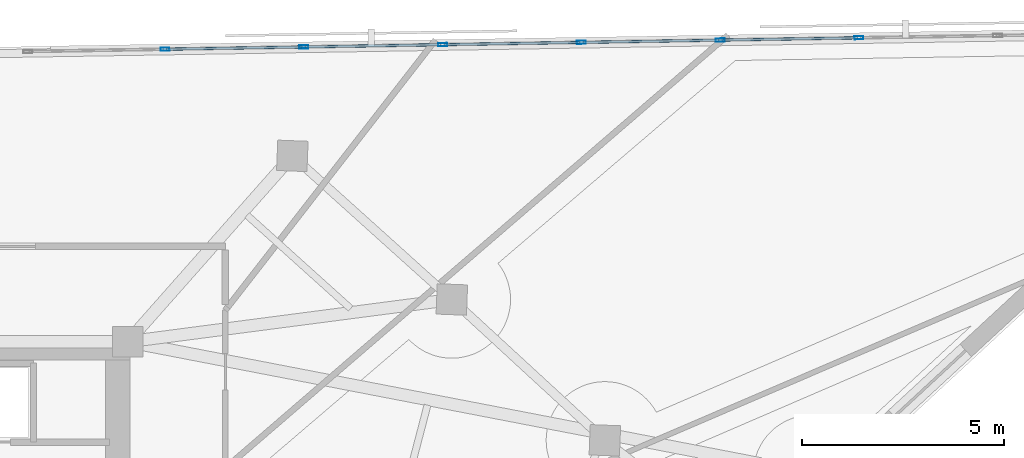
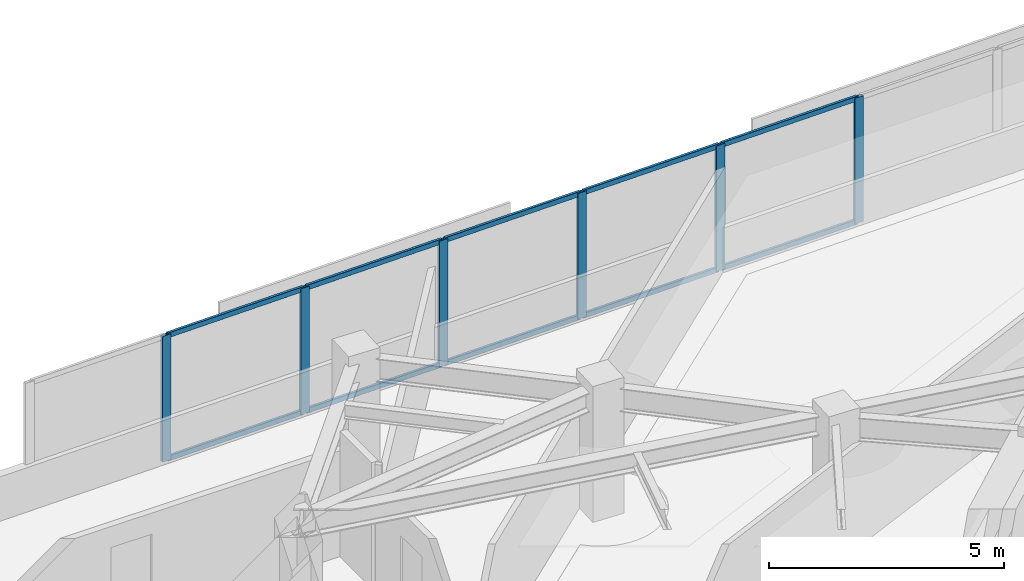
# One storey, part 5 of 13: 16 members, 1 element without a shape of its own.
"""IFC4 building model written with IfcOpenShell, lengths in metres."""

import ifcopenshell
import ifcopenshell.guid

model = None  # the IFC model being written
_history = None  # IfcOwnerHistory: only IFC2X3 demands one
_inside = {}  # id of a spatial element -> (the spatial element, [elements in it])
_under = {}  # id of a project, library or spatial element -> (it, [spatial elements below it])
_declared = {}  # id of a project -> (the project, [libraries it declares])
_typed = {}  # id of a type object -> (the type object, [elements of that type])
_made_of = {}  # id of a material, layer set ... -> (it, [elements and type objects made of it])


def new_model(schema):
    """Start an empty IFC model of exactly this schema.

    Asked for "IFC4X3", IfcOpenShell would pick the latest addendum, in which some entities
    have other attributes; the version numbers below select the first issue.
    IFC2X3 requires an IfcOwnerHistory on every rooted entity: one is made here for all.
    """
    global model, _history
    if schema == "IFC4X3":
        model = ifcopenshell.file(schema_version=(4, 3, 0, 0))
    else:
        model = ifcopenshell.file(schema=schema)
    _inside.clear()
    _under.clear()
    _declared.clear()
    _typed.clear()
    _made_of.clear()
    _history = None
    if model.schema == "IFC2X3":
        org = make("IfcOrganization", Name="unknown")
        user = make(
            "IfcPersonAndOrganization",
            ThePerson=make("IfcPerson", FamilyName="unknown"),
            TheOrganization=org,
        )
        app = make(
            "IfcApplication",
            ApplicationDeveloper=org,
            Version="unknown",
            ApplicationFullName="unknown",
            ApplicationIdentifier="unknown",
        )
        _history = make(
            "IfcOwnerHistory",
            OwningUser=user,
            OwningApplication=app,
            ChangeAction="ADDED",
            CreationDate=0,
        )
    return model


def make(cls, **values):
    """One entity of the class cls with the attributes given. An attribute that is None is left unset."""
    return model.create_entity(
        cls, **{name: value for name, value in values.items() if value is not None}
    )


def rooted(cls, **values):
    """An entity with a GlobalId (a new one), such as an element, a storey or a relation."""
    return make(cls, GlobalId=ifcopenshell.guid.new(), OwnerHistory=_history, **values)


def si_unit(unit_type, name, prefix=None):
    """IfcSIUnit, for example si_unit("LENGTHUNIT", "METRE", prefix="MILLI")."""
    return make("IfcSIUnit", UnitType=unit_type, Prefix=prefix, Name=name)


def assignment(units):
    """IfcUnitAssignment: the units of a project."""
    return None if units is None else make("IfcUnitAssignment", Units=units)


def point(xyz):
    """IfcCartesianPoint."""
    return None if xyz is None else make("IfcCartesianPoint", Coordinates=xyz)


def direction(xyz):
    """IfcDirection."""
    return None if xyz is None else make("IfcDirection", DirectionRatios=xyz)


def frame(location, z_axis=None, x_axis=None):
    """IfcAxis2Placement3D, a coordinate frame: its origin and axes. An axis left out is left unset."""
    return make(
        "IfcAxis2Placement3D",
        Location=point(location),
        Axis=direction(z_axis),
        RefDirection=direction(x_axis),
    )


def frame_2d(location, x_axis=None):
    """IfcAxis2Placement2D, a coordinate frame in the plane: its origin and x axis."""
    return make(
        "IfcAxis2Placement2D", Location=point(location), RefDirection=direction(x_axis)
    )


def origin():
    """The frame at (0, 0, 0) with its axes left unset."""
    return frame((0.0, 0.0, 0.0))


def origin_2d():
    """The frame at (0, 0) in the plane with its x axis left unset."""
    return frame_2d((0.0, 0.0))


def place(relative_to, where):
    """IfcLocalPlacement: puts the frame where relative to a parent placement (None: the world)."""
    return make(
        "IfcLocalPlacement", PlacementRelTo=relative_to, RelativePlacement=where
    )


def context(
    kind, dimensions, precision=None, world=None, true_north=None, identifier=None
):
    """IfcGeometricRepresentationContext, for example the 3D "Model" context."""
    return make(
        "IfcGeometricRepresentationContext",
        ContextIdentifier=identifier,
        ContextType=kind,
        CoordinateSpaceDimension=dimensions,
        Precision=precision,
        WorldCoordinateSystem=world,
        TrueNorth=true_north,
    )


def subcontext(parent, identifier, kind, view, scale=None):
    """IfcGeometricRepresentationSubContext, for example "Body" below "Model"."""
    return make(
        "IfcGeometricRepresentationSubContext",
        ContextIdentifier=identifier,
        ContextType=kind,
        ParentContext=parent,
        TargetScale=scale,
        TargetView=view,
    )


def project(units=None, contexts=None):
    """IfcProject with its units and contexts."""
    return rooted(
        "IfcProject",
        Name="project",
        RepresentationContexts=contexts,
        UnitsInContext=assignment(units),
    )


def spatial(cls, under=None, at=None, **own):
    """A site, building, storey or space (cls), placed at a placement, below another one or the project."""
    s = rooted(cls, ObjectPlacement=at, **own)
    if under is not None:
        _under.setdefault(under.id(), (under, []))[1].append(s)
    return s


def profile(cls, at=None, kind="AREA", **sizes):
    """A parametric profile (cls). Its sizes go by their IFC names, for example OverallWidth=200.0."""
    return make(cls, ProfileType=kind, Position=at, **sizes)


def hollow_rectangle(**sizes):
    """IfcRectangleHollowProfileDef."""
    return profile("IfcRectangleHollowProfileDef", **sizes)


def extrude(swept, where, along, depth):
    """IfcExtrudedAreaSolid: the profile swept, set in the frame where, extruded along a direction by depth."""
    return make(
        "IfcExtrudedAreaSolid",
        SweptArea=swept,
        Position=where,
        ExtrudedDirection=direction(along),
        Depth=depth,
    )


def shape(context_of_items, identifier, shape_type, items):
    """IfcShapeRepresentation: the items that make up one representation, for example the "Body"."""
    return make(
        "IfcShapeRepresentation",
        ContextOfItems=context_of_items,
        RepresentationIdentifier=identifier,
        RepresentationType=shape_type,
        Items=items,
    )


def material(Name=None, Category=None):
    """IfcMaterial."""
    return make("IfcMaterial", Name=Name, Category=Category)


def material_profile(
    of_material, cross_section, Name=None, Category=None, Priority=None
):
    """IfcMaterialProfile: a cross section and its material."""
    return make(
        "IfcMaterialProfile",
        Name=Name,
        Material=of_material,
        Profile=cross_section,
        Priority=Priority,
        Category=Category,
    )


def profile_set(profiles, Name=None, composite=None):
    """IfcMaterialProfileSet."""
    return make(
        "IfcMaterialProfileSet",
        Name=Name,
        MaterialProfiles=profiles,
        CompositeProfile=composite,
    )


def made_of(thing, what):
    """Note that an element or type object is made of a material, layer set ...; save() writes the relation."""
    if what is not None:
        _made_of.setdefault(what.id(), (what, []))[1].append(thing)
    return thing


def type_object(cls, material=None, **own):
    """A type object (cls), such as IfcWallType, which elements share."""
    return made_of(rooted(cls, **own), material)


def element(
    cls,
    number,
    at=None,
    inside=None,
    cuts=None,
    type_object=None,
    material=None,
    context=None,
    identifier="Body",
    shape_type=None,
    held_by="IfcProductDefinitionShape",
    body=None,
    shapes=None,
    **own,
):
    """One element of the class cls, such as IfcWall. Its Tag is "e" and its number.

    at: its placement. inside: the storey or other place that contains it. cuts: it is an
    opening in that element (IfcRelVoidsElement). A single representation is given by context,
    identifier, shape_type and body (its items); several are given by shapes. held_by: the class
    of the entity that holds the representations. save() writes the other relations.
    """
    e = rooted(cls, Tag="e%d" % number, ObjectPlacement=at, **own)
    if body is not None:
        shapes = [shape(context, identifier, shape_type, body)]
    if shapes is not None:
        e.Representation = make(held_by, Representations=shapes)
    if inside is not None:
        _inside.setdefault(inside.id(), (inside, []))[1].append(e)
    if cuts is not None:
        rooted(
            "IfcRelVoidsElement", RelatingBuildingElement=cuts, RelatedOpeningElement=e
        )
    if type_object is not None:
        _typed.setdefault(type_object.id(), (type_object, []))[1].append(e)
    return made_of(e, material)


def aggregate(whole, parts):
    """IfcRelAggregates: a whole, such as a stair, and the parts it consists of."""
    return rooted("IfcRelAggregates", RelatingObject=whole, RelatedObjects=parts)


def save(model, path):
    """Write the relations noted so far, then the file.

    IfcRelAggregates (storeys below a building ...), IfcRelContainedInSpatialStructure (elements
    in a storey), IfcRelDefinesByType, IfcRelAssociatesMaterial and IfcRelDeclares: one each for
    every whole, place, type object, material and project.
    """
    for whole, parts in _under.values():
        aggregate(whole, parts)
    for where, things in _inside.values():
        rooted(
            "IfcRelContainedInSpatialStructure",
            RelatedElements=things,
            RelatingStructure=where,
        )
    for kind, things in _typed.values():
        rooted("IfcRelDefinesByType", RelatedObjects=things, RelatingType=kind)
    for what, things in _made_of.values():
        rooted("IfcRelAssociatesMaterial", RelatedObjects=things, RelatingMaterial=what)
    for by, libraries in _declared.values():
        rooted("IfcRelDeclares", RelatingContext=by, RelatedDefinitions=libraries)
    model.write(path)


model = new_model("IFC4")

# Units and contexts
model_context = context("Model", 3, precision=1e-05, world=origin(), true_north=direction((0.0, 1.0)))
body_context = subcontext(model_context, "Body", "Model", "MODEL_VIEW")
ifc_project = project(units=[si_unit("LENGTHUNIT", "METRE"), si_unit("AREAUNIT", "SQUARE_METRE"), si_unit("VOLUMEUNIT", "CUBIC_METRE"), si_unit("PLANEANGLEUNIT", "RADIAN"), si_unit("MASSUNIT", "GRAM", prefix="KILO")], contexts=[model_context])

# Site, building, storey
site_placement = place(None, origin())
site = spatial("IfcSite", under=ifc_project, at=site_placement, CompositionType="ELEMENT")
building_placement = place(site_placement, origin())
building = spatial("IfcBuilding", under=site, at=building_placement, Name="Narakoshi Arena Tower", CompositionType="ELEMENT")
storey_placement = place(building_placement, frame((0.0, 0.0, 264.260009765625)))
storey = spatial("IfcBuildingStorey", under=building, at=storey_placement, Name="L72", CompositionType="ELEMENT", Elevation=264.260009765625)

# Curtain wall, members
ifc_material = material(Name="Anodised bronze aluminium 6063-T6", Category="aluminium")
curtain_wall_type = type_object("IfcCurtainWallType", Name="CW-HYP-HIGH", PredefinedType="NOTDEFINED", material=ifc_material)
curtain_wall_placement = place(storey_placement, origin())
curtain_wall = element("IfcCurtainWall", 1, at=curtain_wall_placement, inside=storey, type_object=curtain_wall_type, Name="L72 Folded Hypotenuse Curtain Wall 1-1", PredefinedType="NOTDEFINED")
ifc_material_profile_1 = material_profile(ifc_material, hollow_rectangle(XDim=0.080078125, YDim=0.219970703125, WallThickness=0.0048828125, OuterFilletRadius=0.006103515625, at=origin_2d()), Name="MUL220x80x5")
ifc_profile_set_1 = profile_set([ifc_material_profile_1], Name="Anodised bronze aluminium 6063-T6")
member_type_1 = type_object("IfcMemberType", Name="MEM-MUL-220", PredefinedType="MULLION", material=ifc_profile_set_1)
member_1_placement = place(storey_placement, frame((103.604248046875, 64.005615234375, 0.0), z_axis=(0.0, 0.0, 1.0), x_axis=(0.016442997569, -0.999864804777, 0.0)))
member_1 = element("IfcMember", 2, at=member_1_placement, type_object=member_type_1, Name="CW-03 mullion 3", PredefinedType="MULLION", context=body_context, shape_type="SweptSolid", body=[
    extrude(hollow_rectangle(XDim=0.080078125, YDim=0.219970703125, WallThickness=0.0048828125, OuterFilletRadius=0.006103515625, at=origin_2d()), origin(), (0.0, 0.0, 1.0), 3.260009765625),
])
member_2_placement = place(storey_placement, frame((100.177001953125, 63.94921875, 0.0), z_axis=(0.0, 0.0, 1.0), x_axis=(0.016442997569, -0.999864804777, 0.0)))
member_2 = element("IfcMember", 3, at=member_2_placement, type_object=member_type_1, Name="CW-03 mullion 4", PredefinedType="MULLION", context=body_context, shape_type="SweptSolid", body=[
    extrude(hollow_rectangle(XDim=0.080078125, YDim=0.219970703125, WallThickness=0.0048828125, OuterFilletRadius=0.006103515625, at=origin_2d()), origin(), (0.0, 0.0, 1.0), 3.260009765625),
])
member_3_placement = place(storey_placement, frame((96.749755859375, 63.89306640625, 0.0), z_axis=(0.0, 0.0, 1.0), x_axis=(0.016442997569, -0.999864804777, 0.0)))
member_3 = element("IfcMember", 4, at=member_3_placement, type_object=member_type_1, Name="CW-03 mullion 5", PredefinedType="MULLION", context=body_context, shape_type="SweptSolid", body=[
    extrude(hollow_rectangle(XDim=0.080078125, YDim=0.219970703125, WallThickness=0.0048828125, OuterFilletRadius=0.006103515625, at=origin_2d()), origin(), (0.0, 0.0, 1.0), 3.260009765625),
])
member_4_placement = place(storey_placement, frame((93.322509765625, 63.836669921875, 0.0), z_axis=(0.0, 0.0, 1.0), x_axis=(0.016442997569, -0.999864804777, 0.0)))
member_4 = element("IfcMember", 5, at=member_4_placement, type_object=member_type_1, Name="CW-03 mullion 6", PredefinedType="MULLION", context=body_context, shape_type="SweptSolid", body=[
    extrude(hollow_rectangle(XDim=0.080078125, YDim=0.219970703125, WallThickness=0.0048828125, OuterFilletRadius=0.006103515625, at=origin_2d()), origin(), (0.0, 0.0, 1.0), 3.260009765625),
])
member_5_placement = place(storey_placement, frame((89.895263671875, 63.7802734375, 0.0), z_axis=(0.0, 0.0, 1.0), x_axis=(0.016442997569, -0.999864804777, 0.0)))
member_5 = element("IfcMember", 6, at=member_5_placement, type_object=member_type_1, Name="CW-03 mullion 7", PredefinedType="MULLION", context=body_context, shape_type="SweptSolid", body=[
    extrude(hollow_rectangle(XDim=0.080078125, YDim=0.219970703125, WallThickness=0.0048828125, OuterFilletRadius=0.006103515625, at=origin_2d()), origin(), (0.0, 0.0, 1.0), 3.260009765625),
])
member_6_placement = place(storey_placement, frame((86.4677734375, 63.723876953125, 0.0), z_axis=(0.0, 0.0, 1.0), x_axis=(0.016442997569, -0.999864804777, 0.0)))
member_6 = element("IfcMember", 7, at=member_6_placement, type_object=member_type_1, Name="CW-03 mullion 8", PredefinedType="MULLION", context=body_context, shape_type="SweptSolid", body=[
    extrude(hollow_rectangle(XDim=0.080078125, YDim=0.219970703125, WallThickness=0.0048828125, OuterFilletRadius=0.006103515625, at=origin_2d()), origin(), (0.0, 0.0, 1.0), 3.260009765625),
])
ifc_material_profile_2 = material_profile(ifc_material, hollow_rectangle(XDim=0.06494140625, YDim=0.1298828125, WallThickness=0.00390625, OuterFilletRadius=0.0048828125, at=origin_2d()), Name="TRN130x65x4")
ifc_profile_set_2 = profile_set([ifc_material_profile_2], Name="Anodised bronze aluminium 6063-T6")
member_type_2 = type_object("IfcMemberType", Name="MEM-TRN-130", PredefinedType="USERDEFINED", material=ifc_profile_set_2)
member_7_placement = place(storey_placement, frame((103.564208984375, 64.005126953125, 0.032470703125), z_axis=(-0.999864161313, -0.016482078808, 0.0), x_axis=(0.016482078808, -0.999864161313, 0.0)))
member_7 = element("IfcMember", 8, at=member_7_placement, type_object=member_type_2, Name="CW-03 transom 3.1", ObjectType="TRANSOM", PredefinedType="USERDEFINED", context=body_context, shape_type="SweptSolid", body=[
    extrude(hollow_rectangle(XDim=0.06494140625, YDim=0.1298828125, WallThickness=0.00390625, OuterFilletRadius=0.0048828125, at=origin_2d()), origin(), (0.0, 0.0, 1.0), 3.34765625),
])
member_8_placement = place(storey_placement, frame((103.564208984375, 64.005126953125, 3.2275390625), z_axis=(-0.999864161313, -0.016482078808, 0.0), x_axis=(0.016482078808, -0.999864161313, 0.0)))
member_8 = element("IfcMember", 9, at=member_8_placement, type_object=member_type_2, Name="CW-03 transom 3.2", ObjectType="TRANSOM", PredefinedType="USERDEFINED", context=body_context, shape_type="SweptSolid", body=[
    extrude(hollow_rectangle(XDim=0.06494140625, YDim=0.1298828125, WallThickness=0.00390625, OuterFilletRadius=0.0048828125, at=origin_2d()), origin(), (0.0, 0.0, 1.0), 3.34765625),
])
member_9_placement = place(storey_placement, frame((100.136962890625, 63.94873046875, 0.032470703125), z_axis=(-0.999864161313, -0.016482078808, 0.0), x_axis=(0.016482078808, -0.999864161313, 0.0)))
member_9 = element("IfcMember", 10, at=member_9_placement, type_object=member_type_2, Name="CW-03 transom 4.1", ObjectType="TRANSOM", PredefinedType="USERDEFINED", context=body_context, shape_type="SweptSolid", body=[
    extrude(hollow_rectangle(XDim=0.06494140625, YDim=0.1298828125, WallThickness=0.00390625, OuterFilletRadius=0.0048828125, at=origin_2d()), origin(), (0.0, 0.0, 1.0), 3.34765625),
])
member_10_placement = place(storey_placement, frame((100.136962890625, 63.94873046875, 3.2275390625), z_axis=(-0.999864161313, -0.016482078808, 0.0), x_axis=(0.016482078808, -0.999864161313, 0.0)))
member_10 = element("IfcMember", 11, at=member_10_placement, type_object=member_type_2, Name="CW-03 transom 4.2", ObjectType="TRANSOM", PredefinedType="USERDEFINED", context=body_context, shape_type="SweptSolid", body=[
    extrude(hollow_rectangle(XDim=0.06494140625, YDim=0.1298828125, WallThickness=0.00390625, OuterFilletRadius=0.0048828125, at=origin_2d()), origin(), (0.0, 0.0, 1.0), 3.34765625),
])
member_11_placement = place(storey_placement, frame((96.709716796875, 63.892333984375, 0.032470703125), z_axis=(-0.999864161313, -0.016482078808, 0.0), x_axis=(0.016482078808, -0.999864161313, 0.0)))
member_11 = element("IfcMember", 12, at=member_11_placement, type_object=member_type_2, Name="CW-03 transom 5.1", ObjectType="TRANSOM", PredefinedType="USERDEFINED", context=body_context, shape_type="SweptSolid", body=[
    extrude(hollow_rectangle(XDim=0.06494140625, YDim=0.1298828125, WallThickness=0.00390625, OuterFilletRadius=0.0048828125, at=origin_2d()), origin(), (0.0, 0.0, 1.0), 3.34765625),
])
member_12_placement = place(storey_placement, frame((96.709716796875, 63.892333984375, 3.2275390625), z_axis=(-0.999864161313, -0.016482078808, 0.0), x_axis=(0.016482078808, -0.999864161313, 0.0)))
member_12 = element("IfcMember", 13, at=member_12_placement, type_object=member_type_2, Name="CW-03 transom 5.2", ObjectType="TRANSOM", PredefinedType="USERDEFINED", context=body_context, shape_type="SweptSolid", body=[
    extrude(hollow_rectangle(XDim=0.06494140625, YDim=0.1298828125, WallThickness=0.00390625, OuterFilletRadius=0.0048828125, at=origin_2d()), origin(), (0.0, 0.0, 1.0), 3.34765625),
])
member_13_placement = place(storey_placement, frame((93.282470703125, 63.8359375, 0.032470703125), z_axis=(-0.999864181123, -0.016480877028, 0.0), x_axis=(0.016480877028, -0.999864181123, 0.0)))
member_13 = element("IfcMember", 14, at=member_13_placement, type_object=member_type_2, Name="CW-03 transom 6.1", ObjectType="TRANSOM", PredefinedType="USERDEFINED", context=body_context, shape_type="SweptSolid", body=[
    extrude(hollow_rectangle(XDim=0.06494140625, YDim=0.1298828125, WallThickness=0.00390625, OuterFilletRadius=0.0048828125, at=origin_2d()), origin(), (0.0, 0.0, 1.0), 3.347900390625),
])
member_14_placement = place(storey_placement, frame((93.282470703125, 63.8359375, 3.2275390625), z_axis=(-0.999864181123, -0.016480877028, 0.0), x_axis=(0.016480877028, -0.999864181123, 0.0)))
member_14 = element("IfcMember", 15, at=member_14_placement, type_object=member_type_2, Name="CW-03 transom 6.2", ObjectType="TRANSOM", PredefinedType="USERDEFINED", context=body_context, shape_type="SweptSolid", body=[
    extrude(hollow_rectangle(XDim=0.06494140625, YDim=0.1298828125, WallThickness=0.00390625, OuterFilletRadius=0.0048828125, at=origin_2d()), origin(), (0.0, 0.0, 1.0), 3.347900390625),
])
member_15_placement = place(storey_placement, frame((89.855224609375, 63.779541015625, 0.032470703125), z_axis=(-0.999865380158, -0.01640797247, 0.0), x_axis=(0.01640797247, -0.999865380158, 0.0)))
member_15 = element("IfcMember", 16, at=member_15_placement, type_object=member_type_2, Name="CW-03 transom 7.1", ObjectType="TRANSOM", PredefinedType="USERDEFINED", context=body_context, shape_type="SweptSolid", body=[
    extrude(hollow_rectangle(XDim=0.06494140625, YDim=0.1298828125, WallThickness=0.00390625, OuterFilletRadius=0.0048828125, at=origin_2d()), origin(), (0.0, 0.0, 1.0), 3.347900390625),
])
member_16_placement = place(storey_placement, frame((89.855224609375, 63.779541015625, 3.2275390625), z_axis=(-0.999865380158, -0.01640797247, 0.0), x_axis=(0.01640797247, -0.999865380158, 0.0)))
member_16 = element("IfcMember", 17, at=member_16_placement, type_object=member_type_2, Name="CW-03 transom 7.2", ObjectType="TRANSOM", PredefinedType="USERDEFINED", context=body_context, shape_type="SweptSolid", body=[
    extrude(hollow_rectangle(XDim=0.06494140625, YDim=0.1298828125, WallThickness=0.00390625, OuterFilletRadius=0.0048828125, at=origin_2d()), origin(), (0.0, 0.0, 1.0), 3.347900390625),
])
aggregate(curtain_wall, [member_1, member_2, member_3, member_4, member_5, member_6, member_7, member_8, member_9, member_10, member_11, member_12, member_13, member_14, member_15, member_16])

save(model, "model.ifc")
